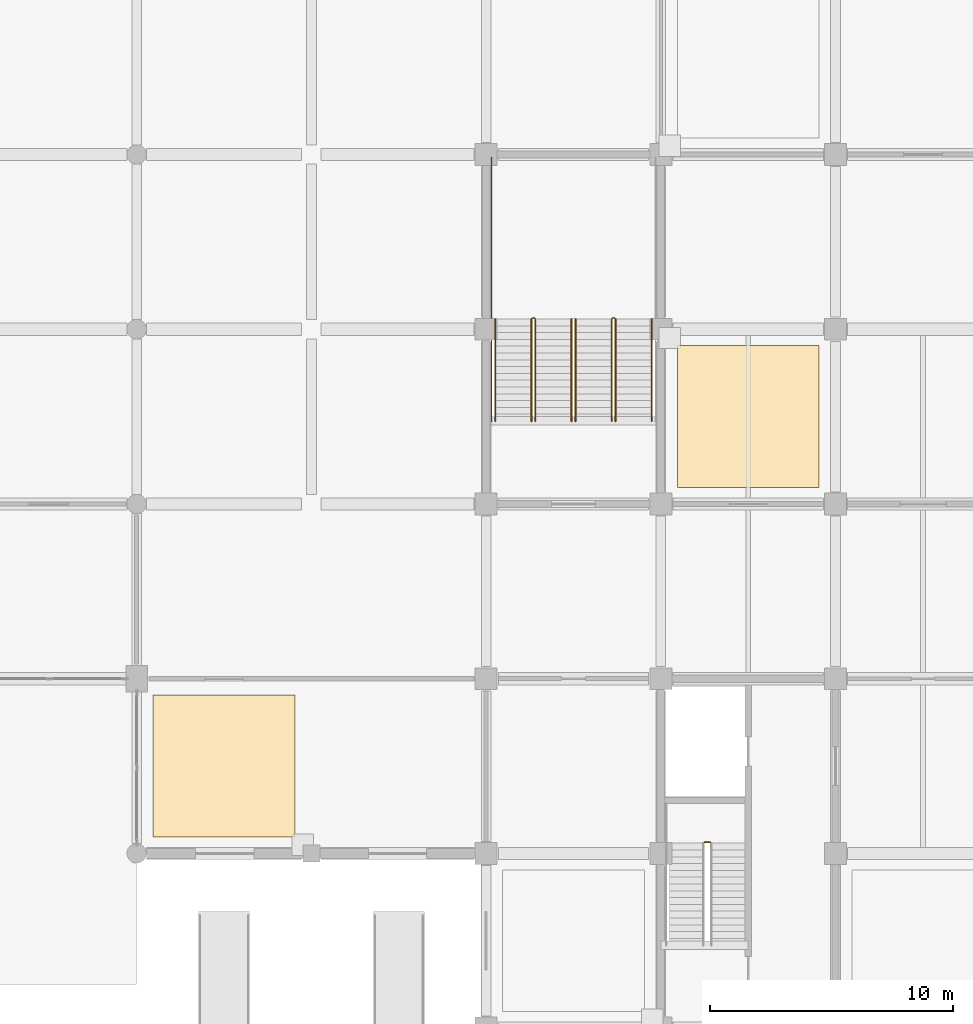
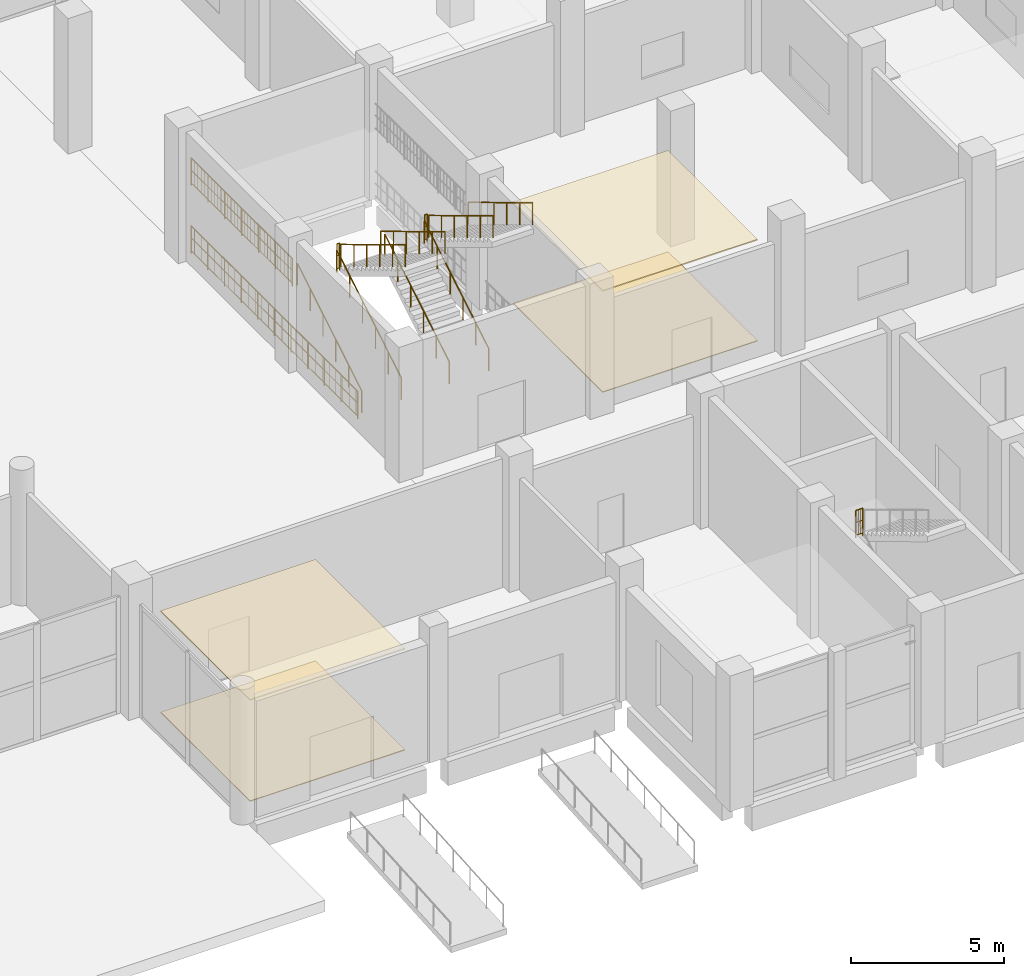
# One storey, part 61 of 70: 13 railings, 4 coverings.
"""IFC4 building model written with IfcOpenShell, lengths in metres."""

import ifcopenshell
import ifcopenshell.guid

model = None  # the IFC model being written
_history = None  # IfcOwnerHistory: only IFC2X3 demands one
_inside = {}  # id of a spatial element -> (the spatial element, [elements in it])
_under = {}  # id of a project, library or spatial element -> (it, [spatial elements below it])
_declared = {}  # id of a project -> (the project, [libraries it declares])
_typed = {}  # id of a type object -> (the type object, [elements of that type])
_made_of = {}  # id of a material, layer set ... -> (it, [elements and type objects made of it])


def new_model(schema):
    """Start an empty IFC model of exactly this schema.

    Asked for "IFC4X3", IfcOpenShell would pick the latest addendum, in which some entities
    have other attributes; the version numbers below select the first issue.
    IFC2X3 requires an IfcOwnerHistory on every rooted entity: one is made here for all.
    """
    global model, _history
    if schema == "IFC4X3":
        model = ifcopenshell.file(schema_version=(4, 3, 0, 0))
    else:
        model = ifcopenshell.file(schema=schema)
    _inside.clear()
    _under.clear()
    _declared.clear()
    _typed.clear()
    _made_of.clear()
    _history = None
    if model.schema == "IFC2X3":
        org = make("IfcOrganization", Name="unknown")
        user = make(
            "IfcPersonAndOrganization",
            ThePerson=make("IfcPerson", FamilyName="unknown"),
            TheOrganization=org,
        )
        app = make(
            "IfcApplication",
            ApplicationDeveloper=org,
            Version="unknown",
            ApplicationFullName="unknown",
            ApplicationIdentifier="unknown",
        )
        _history = make(
            "IfcOwnerHistory",
            OwningUser=user,
            OwningApplication=app,
            ChangeAction="ADDED",
            CreationDate=0,
        )
    return model


def make(cls, **values):
    """One entity of the class cls with the attributes given. An attribute that is None is left unset."""
    return model.create_entity(
        cls, **{name: value for name, value in values.items() if value is not None}
    )


def rooted(cls, **values):
    """An entity with a GlobalId (a new one), such as an element, a storey or a relation."""
    return make(cls, GlobalId=ifcopenshell.guid.new(), OwnerHistory=_history, **values)


def si_unit(unit_type, name, prefix=None):
    """IfcSIUnit, for example si_unit("LENGTHUNIT", "METRE", prefix="MILLI")."""
    return make("IfcSIUnit", UnitType=unit_type, Prefix=prefix, Name=name)


def assignment(units):
    """IfcUnitAssignment: the units of a project."""
    return None if units is None else make("IfcUnitAssignment", Units=units)


def point(xyz):
    """IfcCartesianPoint."""
    return None if xyz is None else make("IfcCartesianPoint", Coordinates=xyz)


def direction(xyz):
    """IfcDirection."""
    return None if xyz is None else make("IfcDirection", DirectionRatios=xyz)


def frame(location, z_axis=None, x_axis=None):
    """IfcAxis2Placement3D, a coordinate frame: its origin and axes. An axis left out is left unset."""
    return make(
        "IfcAxis2Placement3D",
        Location=point(location),
        Axis=direction(z_axis),
        RefDirection=direction(x_axis),
    )


def frame_2d(location, x_axis=None):
    """IfcAxis2Placement2D, a coordinate frame in the plane: its origin and x axis."""
    return make(
        "IfcAxis2Placement2D", Location=point(location), RefDirection=direction(x_axis)
    )


def origin():
    """The frame at (0, 0, 0) with its axes left unset."""
    return frame((0.0, 0.0, 0.0))


def origin_2d():
    """The frame at (0, 0) in the plane with its x axis left unset."""
    return frame_2d((0.0, 0.0))


def place(relative_to, where):
    """IfcLocalPlacement: puts the frame where relative to a parent placement (None: the world)."""
    return make(
        "IfcLocalPlacement", PlacementRelTo=relative_to, RelativePlacement=where
    )


def context(
    kind, dimensions, precision=None, world=None, true_north=None, identifier=None
):
    """IfcGeometricRepresentationContext, for example the 3D "Model" context."""
    return make(
        "IfcGeometricRepresentationContext",
        ContextIdentifier=identifier,
        ContextType=kind,
        CoordinateSpaceDimension=dimensions,
        Precision=precision,
        WorldCoordinateSystem=world,
        TrueNorth=true_north,
    )


def subcontext(parent, identifier, kind, view, scale=None):
    """IfcGeometricRepresentationSubContext, for example "Body" below "Model"."""
    return make(
        "IfcGeometricRepresentationSubContext",
        ContextIdentifier=identifier,
        ContextType=kind,
        ParentContext=parent,
        TargetScale=scale,
        TargetView=view,
    )


def project(units=None, contexts=None):
    """IfcProject with its units and contexts."""
    return rooted(
        "IfcProject",
        Name="project",
        RepresentationContexts=contexts,
        UnitsInContext=assignment(units),
    )


def spatial(cls, under=None, at=None, **own):
    """A site, building, storey or space (cls), placed at a placement, below another one or the project."""
    s = rooted(cls, ObjectPlacement=at, **own)
    if under is not None:
        _under.setdefault(under.id(), (under, []))[1].append(s)
    return s


def polyline(points):
    """IfcPolyline through the points."""
    return make("IfcPolyline", Points=[point(p) for p in points])


def profile(cls, at=None, kind="AREA", **sizes):
    """A parametric profile (cls). Its sizes go by their IFC names, for example OverallWidth=200.0."""
    return make(cls, ProfileType=kind, Position=at, **sizes)


def circle(**sizes):
    """IfcCircleProfileDef."""
    return profile("IfcCircleProfileDef", **sizes)


def outline(outer, holes=None, kind="AREA"):
    """IfcArbitraryClosedProfileDef: a profile drawn as a closed curve; with holes, ...WithVoids."""
    if holes is None:
        return make("IfcArbitraryClosedProfileDef", ProfileType=kind, OuterCurve=outer)
    return make(
        "IfcArbitraryProfileDefWithVoids",
        ProfileType=kind,
        OuterCurve=outer,
        InnerCurves=holes,
    )


def extrude(swept, where, along, depth):
    """IfcExtrudedAreaSolid: the profile swept, set in the frame where, extruded along a direction by depth."""
    return make(
        "IfcExtrudedAreaSolid",
        SweptArea=swept,
        Position=where,
        ExtrudedDirection=direction(along),
        Depth=depth,
    )


def shape(context_of_items, identifier, shape_type, items):
    """IfcShapeRepresentation: the items that make up one representation, for example the "Body"."""
    return make(
        "IfcShapeRepresentation",
        ContextOfItems=context_of_items,
        RepresentationIdentifier=identifier,
        RepresentationType=shape_type,
        Items=items,
    )


def material(Name=None, Category=None):
    """IfcMaterial."""
    return make("IfcMaterial", Name=Name, Category=Category)


def layer(
    of_material, thickness, ventilated=None, Name=None, Category=None, Priority=None
):
    """IfcMaterialLayer: one layer of a wall or slab, of a material (None: an air gap)."""
    return make(
        "IfcMaterialLayer",
        Material=of_material,
        LayerThickness=thickness,
        IsVentilated=ventilated,
        Name=Name,
        Category=Category,
        Priority=Priority,
    )


def layer_set(layers, Name=None):
    """IfcMaterialLayerSet."""
    return make("IfcMaterialLayerSet", MaterialLayers=layers, LayerSetName=Name)


def made_of(thing, what):
    """Note that an element or type object is made of a material, layer set ...; save() writes the relation."""
    if what is not None:
        _made_of.setdefault(what.id(), (what, []))[1].append(thing)
    return thing


def type_object(cls, material=None, **own):
    """A type object (cls), such as IfcWallType, which elements share."""
    return made_of(rooted(cls, **own), material)


def element(
    cls,
    number,
    at=None,
    inside=None,
    cuts=None,
    type_object=None,
    material=None,
    context=None,
    identifier="Body",
    shape_type=None,
    held_by="IfcProductDefinitionShape",
    body=None,
    shapes=None,
    **own,
):
    """One element of the class cls, such as IfcWall. Its Tag is "e" and its number.

    at: its placement. inside: the storey or other place that contains it. cuts: it is an
    opening in that element (IfcRelVoidsElement). A single representation is given by context,
    identifier, shape_type and body (its items); several are given by shapes. held_by: the class
    of the entity that holds the representations. save() writes the other relations.
    """
    e = rooted(cls, Tag="e%d" % number, ObjectPlacement=at, **own)
    if body is not None:
        shapes = [shape(context, identifier, shape_type, body)]
    if shapes is not None:
        e.Representation = make(held_by, Representations=shapes)
    if inside is not None:
        _inside.setdefault(inside.id(), (inside, []))[1].append(e)
    if cuts is not None:
        rooted(
            "IfcRelVoidsElement", RelatingBuildingElement=cuts, RelatedOpeningElement=e
        )
    if type_object is not None:
        _typed.setdefault(type_object.id(), (type_object, []))[1].append(e)
    return made_of(e, material)


def aggregate(whole, parts):
    """IfcRelAggregates: a whole, such as a stair, and the parts it consists of."""
    return rooted("IfcRelAggregates", RelatingObject=whole, RelatedObjects=parts)


def save(model, path):
    """Write the relations noted so far, then the file.

    IfcRelAggregates (storeys below a building ...), IfcRelContainedInSpatialStructure (elements
    in a storey), IfcRelDefinesByType, IfcRelAssociatesMaterial and IfcRelDeclares: one each for
    every whole, place, type object, material and project.
    """
    for whole, parts in _under.values():
        aggregate(whole, parts)
    for where, things in _inside.values():
        rooted(
            "IfcRelContainedInSpatialStructure",
            RelatedElements=things,
            RelatingStructure=where,
        )
    for kind, things in _typed.values():
        rooted("IfcRelDefinesByType", RelatedObjects=things, RelatingType=kind)
    for what, things in _made_of.values():
        rooted("IfcRelAssociatesMaterial", RelatedObjects=things, RelatingMaterial=what)
    for by, libraries in _declared.values():
        rooted("IfcRelDeclares", RelatingContext=by, RelatedDefinitions=libraries)
    model.write(path)


model = new_model("IFC4")

# Units and contexts
model_context = context("Model", 3, precision=1e-05, world=origin(), true_north=direction((0.0, 1.0)))
body_context = subcontext(model_context, "Body", "Model", "MODEL_VIEW")
ifc_project = project(units=[si_unit("LENGTHUNIT", "METRE"), si_unit("AREAUNIT", "SQUARE_METRE"), si_unit("VOLUMEUNIT", "CUBIC_METRE"), si_unit("PLANEANGLEUNIT", "RADIAN"), si_unit("MASSUNIT", "GRAM", prefix="KILO")], contexts=[model_context])

# Site, building, storey
site_placement = place(None, origin())
site = spatial("IfcSite", under=ifc_project, at=site_placement, CompositionType="ELEMENT")
building_placement = place(site_placement, origin())
building = spatial("IfcBuilding", under=site, at=building_placement, Name="Vesperath Aquatics Centre", CompositionType="ELEMENT")
storey_placement = place(building_placement, origin())
storey = spatial("IfcBuildingStorey", under=building, at=storey_placement, Name="L00", CompositionType="ELEMENT", Elevation=0.0)

# Coverings
ifc_material_1 = material(Name="Perforated moisture-resistant acoustic mineral-fibre ceiling", Category="gypsum")
ifc_layer_1 = layer(ifc_material_1, 0.044921875)
ifc_layer_set_1 = layer_set([ifc_layer_1], Name="Perforated moisture-resistant acoustic mineral-fibre ceiling")
covering_type_1 = type_object("IfcCoveringType", Name="CV-CLG01", PredefinedType="CEILING", material=ifc_layer_set_1)
covering_1_placement = place(storey_placement, frame((0.0, 0.0, 4.02490234375)))
element("IfcCovering", 1, at=covering_1_placement, inside=storey, type_object=covering_type_1, Name="Acoustic Suspended Ceiling CLG1 L00_FOYER", PredefinedType="CEILING", context=body_context, shape_type="SweptSolid", body=[
    extrude(outline(polyline([(101.47998046875, 7.8798828125), (107.320068359375, 7.8798828125), (107.320068359375, 13.719970703125), (101.47998046875, 13.719970703125), (101.47998046875, 7.8798828125)])), origin(), (0.0, 0.0, 1.0), 0.045166015625),
])
covering_2_placement = place(storey_placement, frame((0.0, 0.0, 4.02490234375)))
element("IfcCovering", 2, at=covering_2_placement, inside=storey, type_object=covering_type_1, Name="Acoustic Suspended Ceiling CLG1 L00_KITCH", PredefinedType="CEILING", context=body_context, shape_type="SweptSolid", body=[
    extrude(outline(polyline([(123.080078125, 22.280029296875), (128.919921875, 22.280029296875), (128.919921875, 28.1201171875), (123.080078125, 28.1201171875), (123.080078125, 22.280029296875)])), origin(), (0.0, 0.0, 1.0), 0.045166015625),
])
ifc_material_2 = material(Name="Slip-resistant vitrified ceramic and terrazzo flooring", Category="ceramic")
ifc_layer_2 = layer(ifc_material_2, 0.030029296875)
ifc_layer_set_2 = layer_set([ifc_layer_2], Name="Slip-resistant vitrified ceramic and terrazzo flooring")
covering_type_2 = type_object("IfcCoveringType", Name="CV-FLR01", PredefinedType="FLOORING", material=ifc_layer_set_2)
covering_3_placement = place(storey_placement, origin())
element("IfcCovering", 3, at=covering_3_placement, inside=storey, type_object=covering_type_2, Name="Slip-Resistant Floor Finish FLR1 L00_FOYER", PredefinedType="FLOORING", context=body_context, shape_type="SweptSolid", body=[
    extrude(outline(polyline([(101.47998046875, 7.8798828125), (107.320068359375, 7.8798828125), (107.320068359375, 13.719970703125), (101.47998046875, 13.719970703125), (101.47998046875, 7.8798828125)])), origin(), (0.0, 0.0, 1.0), 0.030029296875),
])
covering_4_placement = place(storey_placement, origin())
element("IfcCovering", 4, at=covering_4_placement, inside=storey, type_object=covering_type_2, Name="Slip-Resistant Floor Finish FLR1 L00_KITCH", PredefinedType="FLOORING", context=body_context, shape_type="SweptSolid", body=[
    extrude(outline(polyline([(123.080078125, 22.280029296875), (128.919921875, 22.280029296875), (128.919921875, 28.1201171875), (123.080078125, 28.1201171875), (123.080078125, 22.280029296875)])), origin(), (0.0, 0.0, 1.0), 0.030029296875),
])

# Railings
ifc_material_3 = material(Name="Powder-coated galvanized steel safety guard", Category="steel")
railing_type_1 = type_object("IfcRailingType", Name="RL-GRD01", PredefinedType="GUARDRAIL", material=ifc_material_3)
railing_1_placement = place(storey_placement, frame((124.179931640625, 7.659912109375, 2.699951171875)))
element("IfcRailing", 5, at=railing_1_placement, inside=storey, type_object=railing_type_1, Name="Stair ST5 Half-Landing Slot Guard GR02 L00", PredefinedType="GUARDRAIL", context=body_context, shape_type="SweptSolid", body=[
    extrude(circle(Radius=0.02392578125, at=origin_2d()), frame((0.0, 0.0, 1.0859375), z_axis=(1.0, 0.0, 0.0), x_axis=(0.0, 1.0, 0.0)), (0.0, 0.0, 1.0), 0.260009765625),
    extrude(circle(Radius=0.01611328125, at=origin_2d()), frame((0.0, 0.0, 0.10009765625), z_axis=(1.0, 0.0, 0.0), x_axis=(0.0, 1.0, 0.0)), (0.0, 0.0, 1.0), 0.260009765625),
    extrude(circle(Radius=0.01611328125, at=origin_2d()), frame((0.0, 0.0, 0.610595703125), z_axis=(1.0, 0.0, 0.0), x_axis=(0.0, 1.0, 0.0)), (0.0, 0.0, 1.0), 0.260009765625),
    extrude(circle(Radius=0.009033203125, at=origin_2d()), frame((0.086669921875, 0.0, 0.10009765625)), (0.0, 0.0, 1.0), 0.9619140625),
    extrude(circle(Radius=0.009033203125, at=origin_2d()), frame((0.17333984375, 0.0, 0.10009765625)), (0.0, 0.0, 1.0), 0.9619140625),
    extrude(circle(Radius=0.02197265625, at=origin_2d()), origin(), (0.0, 0.0, 1.0), 1.0859375),
    extrude(circle(Radius=0.02197265625, at=origin_2d()), frame((0.260009765625, 0.0, 0.0)), (0.0, 0.0, 1.0), 1.0859375),
])
railing_2_placement = place(storey_placement, frame((117.10009765625, 29.260009765625, 2.699951171875)))
element("IfcRailing", 6, at=railing_2_placement, inside=storey, type_object=railing_type_1, Name="Stair ST7A Half-Landing Slot Guard GR02 L00", PredefinedType="GUARDRAIL", context=body_context, shape_type="SweptSolid", body=[
    extrude(circle(Radius=0.02392578125, at=origin_2d()), frame((0.0, 0.0, 1.0859375), z_axis=(1.0, 0.0, 0.0), x_axis=(0.0, 1.0, 0.0)), (0.0, 0.0, 1.0), 0.099853515625),
    extrude(circle(Radius=0.01611328125, at=origin_2d()), frame((0.0, 0.0, 0.10009765625), z_axis=(1.0, 0.0, 0.0), x_axis=(0.0, 1.0, 0.0)), (0.0, 0.0, 1.0), 0.099853515625),
    extrude(circle(Radius=0.01611328125, at=origin_2d()), frame((0.0, 0.0, 0.610595703125), z_axis=(1.0, 0.0, 0.0), x_axis=(0.0, 1.0, 0.0)), (0.0, 0.0, 1.0), 0.099853515625),
    extrude(circle(Radius=0.009033203125, at=origin_2d()), frame((0.0498046875, 0.0, 0.10009765625)), (0.0, 0.0, 1.0), 0.9619140625),
    extrude(circle(Radius=0.02197265625, at=origin_2d()), origin(), (0.0, 0.0, 1.0), 1.0859375),
    extrude(circle(Radius=0.02197265625, at=origin_2d()), frame((0.099853515625, 0.0, 0.0)), (0.0, 0.0, 1.0), 1.0859375),
])
railing_3_placement = place(storey_placement, frame((115.419921875, 29.260009765625, 2.699951171875)))
element("IfcRailing", 7, at=railing_3_placement, inside=storey, type_object=railing_type_1, Name="Stair ST7A Half-Landing Wall Guard GR02 L00", PredefinedType="GUARDRAIL", context=body_context, shape_type="SweptSolid", body=[
    extrude(circle(Radius=0.02392578125, at=origin_2d()), frame((0.0, 0.0, 1.0859375), z_axis=(0.0, 1.0, 0.0), x_axis=(-1.0, 0.0, 0.0)), (0.0, 0.0, 1.0), 6.610107421875),
    extrude(circle(Radius=0.01611328125, at=origin_2d()), frame((0.0, 0.0, 0.10009765625), z_axis=(0.0, 1.0, 0.0), x_axis=(-1.0, 0.0, 0.0)), (0.0, 0.0, 1.0), 6.610107421875),
    extrude(circle(Radius=0.01611328125, at=origin_2d()), frame((0.0, 0.0, 0.610595703125), z_axis=(0.0, 1.0, 0.0), x_axis=(-1.0, 0.0, 0.0)), (0.0, 0.0, 1.0), 6.610107421875),
    extrude(circle(Radius=0.009033203125, at=origin_2d()), frame((0.0, 0.1083984375, 0.10009765625)), (0.0, 0.0, 1.0), 0.9619140625),
    extrude(circle(Radius=0.009033203125, at=origin_2d()), frame((0.0, 0.3251953125, 0.10009765625)), (0.0, 0.0, 1.0), 0.9619140625),
    extrude(circle(Radius=0.009033203125, at=origin_2d()), frame((0.0, 0.541748046875, 0.10009765625)), (0.0, 0.0, 1.0), 0.9619140625),
    extrude(circle(Radius=0.009033203125, at=origin_2d()), frame((0.0, 0.758544921875, 0.10009765625)), (0.0, 0.0, 1.0), 0.9619140625),
    extrude(circle(Radius=0.009033203125, at=origin_2d()), frame((0.0, 0.975341796875, 0.10009765625)), (0.0, 0.0, 1.0), 0.9619140625),
    extrude(circle(Radius=0.009033203125, at=origin_2d()), frame((0.0, 1.19189453125, 0.10009765625)), (0.0, 0.0, 1.0), 0.9619140625),
    extrude(circle(Radius=0.009033203125, at=origin_2d()), frame((0.0, 1.40869140625, 0.10009765625)), (0.0, 0.0, 1.0), 0.9619140625),
    extrude(circle(Radius=0.009033203125, at=origin_2d()), frame((0.0, 1.62548828125, 0.10009765625)), (0.0, 0.0, 1.0), 0.9619140625),
    extrude(circle(Radius=0.009033203125, at=origin_2d()), frame((0.0, 1.842041015625, 0.10009765625)), (0.0, 0.0, 1.0), 0.9619140625),
    extrude(circle(Radius=0.009033203125, at=origin_2d()), frame((0.0, 2.058837890625, 0.10009765625)), (0.0, 0.0, 1.0), 0.9619140625),
    extrude(circle(Radius=0.009033203125, at=origin_2d()), frame((0.0, 2.275634765625, 0.10009765625)), (0.0, 0.0, 1.0), 0.9619140625),
    extrude(circle(Radius=0.009033203125, at=origin_2d()), frame((0.0, 2.492431640625, 0.10009765625)), (0.0, 0.0, 1.0), 0.9619140625),
    extrude(circle(Radius=0.009033203125, at=origin_2d()), frame((0.0, 2.708984375, 0.10009765625)), (0.0, 0.0, 1.0), 0.9619140625),
    extrude(circle(Radius=0.009033203125, at=origin_2d()), frame((0.0, 2.92578125, 0.10009765625)), (0.0, 0.0, 1.0), 0.9619140625),
    extrude(circle(Radius=0.009033203125, at=origin_2d()), frame((0.0, 3.142578125, 0.10009765625)), (0.0, 0.0, 1.0), 0.9619140625),
    extrude(circle(Radius=0.009033203125, at=origin_2d()), frame((0.0, 3.359130859375, 0.10009765625)), (0.0, 0.0, 1.0), 0.9619140625),
    extrude(circle(Radius=0.009033203125, at=origin_2d()), frame((0.0, 3.575927734375, 0.10009765625)), (0.0, 0.0, 1.0), 0.9619140625),
    extrude(circle(Radius=0.009033203125, at=origin_2d()), frame((0.0, 3.792724609375, 0.10009765625)), (0.0, 0.0, 1.0), 0.9619140625),
    extrude(circle(Radius=0.009033203125, at=origin_2d()), frame((0.0, 4.009521484375, 0.10009765625)), (0.0, 0.0, 1.0), 0.9619140625),
    extrude(circle(Radius=0.009033203125, at=origin_2d()), frame((0.0, 4.22607421875, 0.10009765625)), (0.0, 0.0, 1.0), 0.9619140625),
    extrude(circle(Radius=0.009033203125, at=origin_2d()), frame((0.0, 4.44287109375, 0.10009765625)), (0.0, 0.0, 1.0), 0.9619140625),
    extrude(circle(Radius=0.009033203125, at=origin_2d()), frame((0.0, 4.65966796875, 0.10009765625)), (0.0, 0.0, 1.0), 0.9619140625),
    extrude(circle(Radius=0.009033203125, at=origin_2d()), frame((0.0, 4.876220703125, 0.10009765625)), (0.0, 0.0, 1.0), 0.9619140625),
    extrude(circle(Radius=0.009033203125, at=origin_2d()), frame((0.0, 5.093017578125, 0.10009765625)), (0.0, 0.0, 1.0), 0.9619140625),
    extrude(circle(Radius=0.009033203125, at=origin_2d()), frame((0.0, 5.309814453125, 0.10009765625)), (0.0, 0.0, 1.0), 0.9619140625),
    extrude(circle(Radius=0.009033203125, at=origin_2d()), frame((0.0, 5.5263671875, 0.10009765625)), (0.0, 0.0, 1.0), 0.9619140625),
    extrude(circle(Radius=0.009033203125, at=origin_2d()), frame((0.0, 5.7431640625, 0.10009765625)), (0.0, 0.0, 1.0), 0.9619140625),
    extrude(circle(Radius=0.009033203125, at=origin_2d()), frame((0.0, 5.9599609375, 0.10009765625)), (0.0, 0.0, 1.0), 0.9619140625),
    extrude(circle(Radius=0.009033203125, at=origin_2d()), frame((0.0, 6.1767578125, 0.10009765625)), (0.0, 0.0, 1.0), 0.9619140625),
    extrude(circle(Radius=0.009033203125, at=origin_2d()), frame((0.0, 6.393310546875, 0.10009765625)), (0.0, 0.0, 1.0), 0.9619140625),
    extrude(circle(Radius=0.02197265625, at=origin_2d()), origin(), (0.0, 0.0, 1.0), 1.0859375),
    extrude(circle(Radius=0.02197265625, at=origin_2d()), frame((0.0, 1.1015625, 0.0)), (0.0, 0.0, 1.0), 1.0859375),
    extrude(circle(Radius=0.02197265625, at=origin_2d()), frame((0.0, 2.203369140625, 0.0)), (0.0, 0.0, 1.0), 1.0859375),
    extrude(circle(Radius=0.02197265625, at=origin_2d()), frame((0.0, 3.30517578125, 0.0)), (0.0, 0.0, 1.0), 1.0859375),
    extrude(circle(Radius=0.02197265625, at=origin_2d()), frame((0.0, 4.40673828125, 0.0)), (0.0, 0.0, 1.0), 1.0859375),
    extrude(circle(Radius=0.02197265625, at=origin_2d()), frame((0.0, 5.50830078125, 0.0)), (0.0, 0.0, 1.0), 1.0859375),
    extrude(circle(Radius=0.02197265625, at=origin_2d()), frame((0.0, 6.610107421875, 0.0)), (0.0, 0.0, 1.0), 1.0859375),
])
railing_4_placement = place(storey_placement, frame((115.419921875, 25.0, 0.0)))
element("IfcRailing", 8, at=railing_4_placement, inside=storey, type_object=railing_type_1, Name="Stair ST7A Shaft Side Guard GR02 L00", PredefinedType="GUARDRAIL", context=body_context, shape_type="SweptSolid", body=[
    extrude(circle(Radius=0.02392578125, at=origin_2d()), frame((0.0, 0.0, 1.0859375), z_axis=(0.0, 1.0, 0.0), x_axis=(-1.0, 0.0, 0.0)), (0.0, 0.0, 1.0), 10.8701171875),
    extrude(circle(Radius=0.01611328125, at=origin_2d()), frame((0.0, 0.0, 0.10009765625), z_axis=(0.0, 1.0, 0.0), x_axis=(-1.0, 0.0, 0.0)), (0.0, 0.0, 1.0), 10.8701171875),
    extrude(circle(Radius=0.01611328125, at=origin_2d()), frame((0.0, 0.0, 0.610595703125), z_axis=(0.0, 1.0, 0.0), x_axis=(-1.0, 0.0, 0.0)), (0.0, 0.0, 1.0), 10.8701171875),
    extrude(circle(Radius=0.009033203125, at=origin_2d()), frame((0.0, 0.10986328125, 0.10009765625)), (0.0, 0.0, 1.0), 0.9619140625),
    extrude(circle(Radius=0.009033203125, at=origin_2d()), frame((0.0, 0.549072265625, 0.10009765625)), (0.0, 0.0, 1.0), 0.9619140625),
    extrude(circle(Radius=0.009033203125, at=origin_2d()), frame((0.0, 0.98828125, 0.10009765625)), (0.0, 0.0, 1.0), 0.9619140625),
    extrude(circle(Radius=0.009033203125, at=origin_2d()), frame((0.0, 1.427490234375, 0.10009765625)), (0.0, 0.0, 1.0), 0.9619140625),
    extrude(circle(Radius=0.009033203125, at=origin_2d()), frame((0.0, 1.86669921875, 0.10009765625)), (0.0, 0.0, 1.0), 0.9619140625),
    extrude(circle(Radius=0.009033203125, at=origin_2d()), frame((0.0, 2.3056640625, 0.10009765625)), (0.0, 0.0, 1.0), 0.9619140625),
    extrude(circle(Radius=0.009033203125, at=origin_2d()), frame((0.0, 2.744873046875, 0.10009765625)), (0.0, 0.0, 1.0), 0.9619140625),
    extrude(circle(Radius=0.009033203125, at=origin_2d()), frame((0.0, 3.18408203125, 0.10009765625)), (0.0, 0.0, 1.0), 0.9619140625),
    extrude(circle(Radius=0.009033203125, at=origin_2d()), frame((0.0, 3.623291015625, 0.10009765625)), (0.0, 0.0, 1.0), 0.9619140625),
    extrude(circle(Radius=0.009033203125, at=origin_2d()), frame((0.0, 4.0625, 0.10009765625)), (0.0, 0.0, 1.0), 0.9619140625),
    extrude(circle(Radius=0.009033203125, at=origin_2d()), frame((0.0, 4.501708984375, 0.10009765625)), (0.0, 0.0, 1.0), 0.9619140625),
    extrude(circle(Radius=0.009033203125, at=origin_2d()), frame((0.0, 4.94091796875, 0.10009765625)), (0.0, 0.0, 1.0), 0.9619140625),
    extrude(circle(Radius=0.009033203125, at=origin_2d()), frame((0.0, 5.380126953125, 0.10009765625)), (0.0, 0.0, 1.0), 0.9619140625),
    extrude(circle(Radius=0.009033203125, at=origin_2d()), frame((0.0, 5.8193359375, 0.10009765625)), (0.0, 0.0, 1.0), 0.9619140625),
    extrude(circle(Radius=0.009033203125, at=origin_2d()), frame((0.0, 6.258544921875, 0.10009765625)), (0.0, 0.0, 1.0), 0.9619140625),
    extrude(circle(Radius=0.009033203125, at=origin_2d()), frame((0.0, 6.69775390625, 0.10009765625)), (0.0, 0.0, 1.0), 0.9619140625),
    extrude(circle(Radius=0.009033203125, at=origin_2d()), frame((0.0, 7.136962890625, 0.10009765625)), (0.0, 0.0, 1.0), 0.9619140625),
    extrude(circle(Radius=0.009033203125, at=origin_2d()), frame((0.0, 7.576171875, 0.10009765625)), (0.0, 0.0, 1.0), 0.9619140625),
    extrude(circle(Radius=0.009033203125, at=origin_2d()), frame((0.0, 8.015380859375, 0.10009765625)), (0.0, 0.0, 1.0), 0.9619140625),
    extrude(circle(Radius=0.009033203125, at=origin_2d()), frame((0.0, 8.45458984375, 0.10009765625)), (0.0, 0.0, 1.0), 0.9619140625),
    extrude(circle(Radius=0.009033203125, at=origin_2d()), frame((0.0, 8.893798828125, 0.10009765625)), (0.0, 0.0, 1.0), 0.9619140625),
    extrude(circle(Radius=0.009033203125, at=origin_2d()), frame((0.0, 9.3330078125, 0.10009765625)), (0.0, 0.0, 1.0), 0.9619140625),
    extrude(circle(Radius=0.009033203125, at=origin_2d()), frame((0.0, 9.772216796875, 0.10009765625)), (0.0, 0.0, 1.0), 0.9619140625),
    extrude(circle(Radius=0.009033203125, at=origin_2d()), frame((0.0, 10.21142578125, 0.10009765625)), (0.0, 0.0, 1.0), 0.9619140625),
    extrude(circle(Radius=0.009033203125, at=origin_2d()), frame((0.0, 10.650634765625, 0.10009765625)), (0.0, 0.0, 1.0), 0.9619140625),
    extrude(circle(Radius=0.02197265625, at=origin_2d()), origin(), (0.0, 0.0, 1.0), 1.0859375),
    extrude(circle(Radius=0.02197265625, at=origin_2d()), frame((0.0, 1.0869140625, 0.0)), (0.0, 0.0, 1.0), 1.0859375),
    extrude(circle(Radius=0.02197265625, at=origin_2d()), frame((0.0, 2.174072265625, 0.0)), (0.0, 0.0, 1.0), 1.0859375),
    extrude(circle(Radius=0.02197265625, at=origin_2d()), frame((0.0, 3.260986328125, 0.0)), (0.0, 0.0, 1.0), 1.0859375),
    extrude(circle(Radius=0.02197265625, at=origin_2d()), frame((0.0, 4.34814453125, 0.0)), (0.0, 0.0, 1.0), 1.0859375),
    extrude(circle(Radius=0.02197265625, at=origin_2d()), frame((0.0, 5.43505859375, 0.0)), (0.0, 0.0, 1.0), 1.0859375),
    extrude(circle(Radius=0.02197265625, at=origin_2d()), frame((0.0, 6.52197265625, 0.0)), (0.0, 0.0, 1.0), 1.0859375),
    extrude(circle(Radius=0.02197265625, at=origin_2d()), frame((0.0, 7.609130859375, 0.0)), (0.0, 0.0, 1.0), 1.0859375),
    extrude(circle(Radius=0.02197265625, at=origin_2d()), frame((0.0, 8.696044921875, 0.0)), (0.0, 0.0, 1.0), 1.0859375),
    extrude(circle(Radius=0.02197265625, at=origin_2d()), frame((0.0, 9.783203125, 0.0)), (0.0, 0.0, 1.0), 1.0859375),
    extrude(circle(Radius=0.02197265625, at=origin_2d()), frame((0.0, 10.8701171875, 0.0)), (0.0, 0.0, 1.0), 1.0859375),
])
railing_5_placement = place(storey_placement, frame((120.39990234375, 29.260009765625, 2.699951171875)))
element("IfcRailing", 9, at=railing_5_placement, inside=storey, type_object=railing_type_1, Name="Stair ST7B Half-Landing Slot Guard GR02 L00", PredefinedType="GUARDRAIL", context=body_context, shape_type="SweptSolid", body=[
    extrude(circle(Radius=0.02392578125, at=origin_2d()), frame((0.0, 0.0, 1.0859375), z_axis=(1.0, 0.0, 0.0), x_axis=(0.0, 1.0, 0.0)), (0.0, 0.0, 1.0), 0.10009765625),
    extrude(circle(Radius=0.01611328125, at=origin_2d()), frame((0.0, 0.0, 0.10009765625), z_axis=(1.0, 0.0, 0.0), x_axis=(0.0, 1.0, 0.0)), (0.0, 0.0, 1.0), 0.10009765625),
    extrude(circle(Radius=0.01611328125, at=origin_2d()), frame((0.0, 0.0, 0.610595703125), z_axis=(1.0, 0.0, 0.0), x_axis=(0.0, 1.0, 0.0)), (0.0, 0.0, 1.0), 0.10009765625),
    extrude(circle(Radius=0.009033203125, at=origin_2d()), frame((0.050048828125, 0.0, 0.10009765625)), (0.0, 0.0, 1.0), 0.9619140625),
    extrude(circle(Radius=0.02197265625, at=origin_2d()), origin(), (0.0, 0.0, 1.0), 1.0859375),
    extrude(circle(Radius=0.02197265625, at=origin_2d()), frame((0.10009765625, 0.0, 0.0)), (0.0, 0.0, 1.0), 1.0859375),
])
ifc_material_4 = material(Name="Brushed stainless steel tubular handrail", Category="steel")
railing_type_2 = type_object("IfcRailingType", Name="RL-HND01", PredefinedType="HANDRAIL", material=ifc_material_4)
railing_6_placement = place(storey_placement, frame((117.070068359375, 25.02001953125, 0.168701171875)))
element("IfcRailing", 10, at=railing_6_placement, inside=storey, type_object=railing_type_2, Name="Stair ST7A Flight 1 Handrail HR01 L00", PredefinedType="HANDRAIL", context=body_context, shape_type="SweptSolid", body=[
    extrude(circle(Radius=0.02392578125, at=origin_2d()), frame((0.0, 0.0, 0.8759765625), z_axis=(0.0, 0.856476492594, 0.516186030065), x_axis=(-1.0, 0.0, 0.0)), (0.0, 0.0, 1.0), 4.90380859375),
    extrude(circle(Radius=0.02197265625, at=origin_2d()), origin(), (0.0, 0.0, 1.0), 0.8759765625),
    extrude(circle(Radius=0.02197265625, at=origin_2d()), frame((0.0, 0.840087890625, 0.50634765625)), (0.0, 0.0, 1.0), 0.8759765625),
    extrude(circle(Radius=0.02197265625, at=origin_2d()), frame((0.0, 1.679931640625, 1.012451171875)), (0.0, 0.0, 1.0), 0.8759765625),
    extrude(circle(Radius=0.02197265625, at=origin_2d()), frame((0.0, 2.52001953125, 1.518798828125)), (0.0, 0.0, 1.0), 0.8759765625),
    extrude(circle(Radius=0.02197265625, at=origin_2d()), frame((0.0, 3.35986328125, 2.02490234375)), (0.0, 0.0, 1.0), 0.8759765625),
    extrude(circle(Radius=0.02197265625, at=origin_2d()), frame((0.0, 4.199951171875, 2.53125)), (0.0, 0.0, 1.0), 0.8759765625),
])
railing_7_placement = place(storey_placement, frame((117.22998046875, 29.219970703125, 2.86865234375)))
element("IfcRailing", 11, at=railing_7_placement, inside=storey, type_object=railing_type_2, Name="Stair ST7A Flight 2 Handrail HR01 L00", PredefinedType="HANDRAIL", context=body_context, shape_type="SweptSolid", body=[
    extrude(circle(Radius=0.02392578125, at=origin_2d()), frame((0.0, 0.0, 0.8759765625), z_axis=(0.0, -0.856476492594, 0.516186030065), x_axis=(1.0, 0.0, 0.0)), (0.0, 0.0, 1.0), 4.90380859375),
    extrude(circle(Radius=0.02197265625, at=origin_2d()), origin(), (0.0, 0.0, 1.0), 0.8759765625),
    extrude(circle(Radius=0.02197265625, at=origin_2d()), frame((0.0, -0.840087890625, 0.50634765625)), (0.0, 0.0, 1.0), 0.8759765625),
    extrude(circle(Radius=0.02197265625, at=origin_2d()), frame((0.0, -1.679931640625, 1.012451171875)), (0.0, 0.0, 1.0), 0.8759765625),
    extrude(circle(Radius=0.02197265625, at=origin_2d()), frame((0.0, -2.52001953125, 1.518798828125)), (0.0, 0.0, 1.0), 0.8759765625),
    extrude(circle(Radius=0.02197265625, at=origin_2d()), frame((0.0, -3.35986328125, 2.02490234375)), (0.0, 0.0, 1.0), 0.8759765625),
    extrude(circle(Radius=0.02197265625, at=origin_2d()), frame((0.0, -4.199951171875, 2.53125)), (0.0, 0.0, 1.0), 0.8759765625),
])
railing_8_placement = place(storey_placement, frame((115.580078125, 25.02001953125, 0.168701171875)))
element("IfcRailing", 12, at=railing_8_placement, inside=storey, type_object=railing_type_2, Name="Stair ST7A Flight 1 Handrail HR01 L00", PredefinedType="HANDRAIL", context=body_context, shape_type="SweptSolid", body=[
    extrude(circle(Radius=0.02392578125, at=origin_2d()), frame((0.0, 0.0, 0.8759765625), z_axis=(0.0, 0.856476492594, 0.516186030065), x_axis=(-1.0, 0.0, 0.0)), (0.0, 0.0, 1.0), 4.90380859375),
    extrude(circle(Radius=0.02197265625, at=origin_2d()), origin(), (0.0, 0.0, 1.0), 0.8759765625),
    extrude(circle(Radius=0.02197265625, at=origin_2d()), frame((0.0, 0.840087890625, 0.50634765625)), (0.0, 0.0, 1.0), 0.8759765625),
    extrude(circle(Radius=0.02197265625, at=origin_2d()), frame((0.0, 1.679931640625, 1.012451171875)), (0.0, 0.0, 1.0), 0.8759765625),
    extrude(circle(Radius=0.02197265625, at=origin_2d()), frame((0.0, 2.52001953125, 1.518798828125)), (0.0, 0.0, 1.0), 0.8759765625),
    extrude(circle(Radius=0.02197265625, at=origin_2d()), frame((0.0, 3.35986328125, 2.02490234375)), (0.0, 0.0, 1.0), 0.8759765625),
    extrude(circle(Radius=0.02197265625, at=origin_2d()), frame((0.0, 4.199951171875, 2.53125)), (0.0, 0.0, 1.0), 0.8759765625),
])
railing_9_placement = place(storey_placement, frame((118.719970703125, 29.219970703125, 2.86865234375)))
element("IfcRailing", 13, at=railing_9_placement, inside=storey, type_object=railing_type_2, Name="Stair ST7A Flight 2 Handrail HR01 L00", PredefinedType="HANDRAIL", context=body_context, shape_type="SweptSolid", body=[
    extrude(circle(Radius=0.02392578125, at=origin_2d()), frame((0.0, 0.0, 0.8759765625), z_axis=(0.0, -0.856476492594, 0.516186030065), x_axis=(1.0, 0.0, 0.0)), (0.0, 0.0, 1.0), 4.90380859375),
    extrude(circle(Radius=0.02197265625, at=origin_2d()), origin(), (0.0, 0.0, 1.0), 0.8759765625),
    extrude(circle(Radius=0.02197265625, at=origin_2d()), frame((0.0, -0.840087890625, 0.50634765625)), (0.0, 0.0, 1.0), 0.8759765625),
    extrude(circle(Radius=0.02197265625, at=origin_2d()), frame((0.0, -1.679931640625, 1.012451171875)), (0.0, 0.0, 1.0), 0.8759765625),
    extrude(circle(Radius=0.02197265625, at=origin_2d()), frame((0.0, -2.52001953125, 1.518798828125)), (0.0, 0.0, 1.0), 0.8759765625),
    extrude(circle(Radius=0.02197265625, at=origin_2d()), frame((0.0, -3.35986328125, 2.02490234375)), (0.0, 0.0, 1.0), 0.8759765625),
    extrude(circle(Radius=0.02197265625, at=origin_2d()), frame((0.0, -4.199951171875, 2.53125)), (0.0, 0.0, 1.0), 0.8759765625),
])
railing_10_placement = place(storey_placement, frame((120.3701171875, 25.02001953125, 0.168701171875)))
element("IfcRailing", 14, at=railing_10_placement, inside=storey, type_object=railing_type_2, Name="Stair ST7B Flight 1 Handrail HR01 L00", PredefinedType="HANDRAIL", context=body_context, shape_type="SweptSolid", body=[
    extrude(circle(Radius=0.02392578125, at=origin_2d()), frame((0.0, 0.0, 0.8759765625), z_axis=(0.0, 0.856476492594, 0.516186030065), x_axis=(-1.0, 0.0, 0.0)), (0.0, 0.0, 1.0), 4.90380859375),
    extrude(circle(Radius=0.02197265625, at=origin_2d()), origin(), (0.0, 0.0, 1.0), 0.8759765625),
    extrude(circle(Radius=0.02197265625, at=origin_2d()), frame((0.0, 0.840087890625, 0.50634765625)), (0.0, 0.0, 1.0), 0.8759765625),
    extrude(circle(Radius=0.02197265625, at=origin_2d()), frame((0.0, 1.679931640625, 1.012451171875)), (0.0, 0.0, 1.0), 0.8759765625),
    extrude(circle(Radius=0.02197265625, at=origin_2d()), frame((0.0, 2.52001953125, 1.518798828125)), (0.0, 0.0, 1.0), 0.8759765625),
    extrude(circle(Radius=0.02197265625, at=origin_2d()), frame((0.0, 3.35986328125, 2.02490234375)), (0.0, 0.0, 1.0), 0.8759765625),
    extrude(circle(Radius=0.02197265625, at=origin_2d()), frame((0.0, 4.199951171875, 2.53125)), (0.0, 0.0, 1.0), 0.8759765625),
])
railing_11_placement = place(storey_placement, frame((120.530029296875, 29.219970703125, 2.86865234375)))
element("IfcRailing", 15, at=railing_11_placement, inside=storey, type_object=railing_type_2, Name="Stair ST7B Flight 2 Handrail HR01 L00", PredefinedType="HANDRAIL", context=body_context, shape_type="SweptSolid", body=[
    extrude(circle(Radius=0.02392578125, at=origin_2d()), frame((0.0, 0.0, 0.8759765625), z_axis=(0.0, -0.856476492594, 0.516186030065), x_axis=(1.0, 0.0, 0.0)), (0.0, 0.0, 1.0), 4.90380859375),
    extrude(circle(Radius=0.02197265625, at=origin_2d()), origin(), (0.0, 0.0, 1.0), 0.8759765625),
    extrude(circle(Radius=0.02197265625, at=origin_2d()), frame((0.0, -0.840087890625, 0.50634765625)), (0.0, 0.0, 1.0), 0.8759765625),
    extrude(circle(Radius=0.02197265625, at=origin_2d()), frame((0.0, -1.679931640625, 1.012451171875)), (0.0, 0.0, 1.0), 0.8759765625),
    extrude(circle(Radius=0.02197265625, at=origin_2d()), frame((0.0, -2.52001953125, 1.518798828125)), (0.0, 0.0, 1.0), 0.8759765625),
    extrude(circle(Radius=0.02197265625, at=origin_2d()), frame((0.0, -3.35986328125, 2.02490234375)), (0.0, 0.0, 1.0), 0.8759765625),
    extrude(circle(Radius=0.02197265625, at=origin_2d()), frame((0.0, -4.199951171875, 2.53125)), (0.0, 0.0, 1.0), 0.8759765625),
])
railing_12_placement = place(storey_placement, frame((118.8798828125, 25.02001953125, 0.168701171875)))
element("IfcRailing", 16, at=railing_12_placement, inside=storey, type_object=railing_type_2, Name="Stair ST7B Flight 1 Handrail HR01 L00", PredefinedType="HANDRAIL", context=body_context, shape_type="SweptSolid", body=[
    extrude(circle(Radius=0.02392578125, at=origin_2d()), frame((0.0, 0.0, 0.8759765625), z_axis=(0.0, 0.856476492594, 0.516186030065), x_axis=(-1.0, 0.0, 0.0)), (0.0, 0.0, 1.0), 4.90380859375),
    extrude(circle(Radius=0.02197265625, at=origin_2d()), origin(), (0.0, 0.0, 1.0), 0.8759765625),
    extrude(circle(Radius=0.02197265625, at=origin_2d()), frame((0.0, 0.840087890625, 0.50634765625)), (0.0, 0.0, 1.0), 0.8759765625),
    extrude(circle(Radius=0.02197265625, at=origin_2d()), frame((0.0, 1.679931640625, 1.012451171875)), (0.0, 0.0, 1.0), 0.8759765625),
    extrude(circle(Radius=0.02197265625, at=origin_2d()), frame((0.0, 2.52001953125, 1.518798828125)), (0.0, 0.0, 1.0), 0.8759765625),
    extrude(circle(Radius=0.02197265625, at=origin_2d()), frame((0.0, 3.35986328125, 2.02490234375)), (0.0, 0.0, 1.0), 0.8759765625),
    extrude(circle(Radius=0.02197265625, at=origin_2d()), frame((0.0, 4.199951171875, 2.53125)), (0.0, 0.0, 1.0), 0.8759765625),
])
railing_13_placement = place(storey_placement, frame((122.02001953125, 29.219970703125, 2.86865234375)))
element("IfcRailing", 17, at=railing_13_placement, inside=storey, type_object=railing_type_2, Name="Stair ST7B Flight 2 Handrail HR01 L00", PredefinedType="HANDRAIL", context=body_context, shape_type="SweptSolid", body=[
    extrude(circle(Radius=0.02392578125, at=origin_2d()), frame((0.0, 0.0, 0.8759765625), z_axis=(0.0, -0.856476492594, 0.516186030065), x_axis=(1.0, 0.0, 0.0)), (0.0, 0.0, 1.0), 4.90380859375),
    extrude(circle(Radius=0.02197265625, at=origin_2d()), origin(), (0.0, 0.0, 1.0), 0.8759765625),
    extrude(circle(Radius=0.02197265625, at=origin_2d()), frame((0.0, -0.840087890625, 0.50634765625)), (0.0, 0.0, 1.0), 0.8759765625),
    extrude(circle(Radius=0.02197265625, at=origin_2d()), frame((0.0, -1.679931640625, 1.012451171875)), (0.0, 0.0, 1.0), 0.8759765625),
    extrude(circle(Radius=0.02197265625, at=origin_2d()), frame((0.0, -2.52001953125, 1.518798828125)), (0.0, 0.0, 1.0), 0.8759765625),
    extrude(circle(Radius=0.02197265625, at=origin_2d()), frame((0.0, -3.35986328125, 2.02490234375)), (0.0, 0.0, 1.0), 0.8759765625),
    extrude(circle(Radius=0.02197265625, at=origin_2d()), frame((0.0, -4.199951171875, 2.53125)), (0.0, 0.0, 1.0), 0.8759765625),
])

save(model, "model.ifc")
